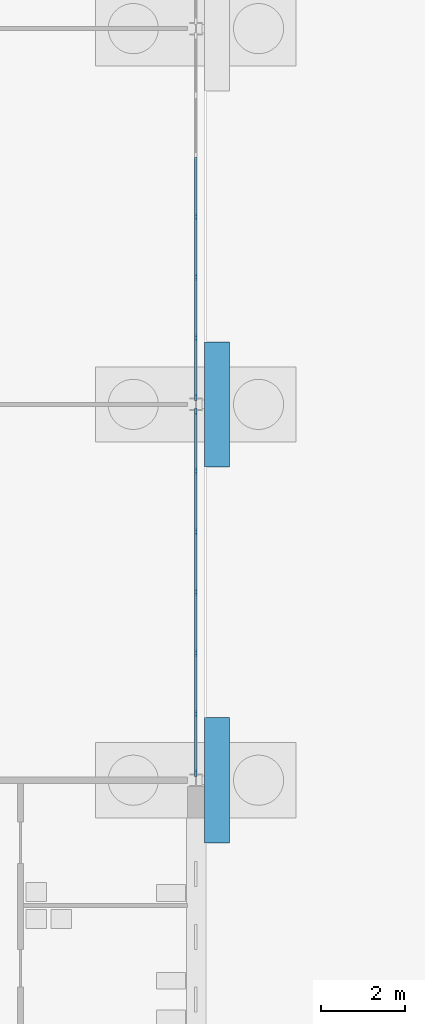
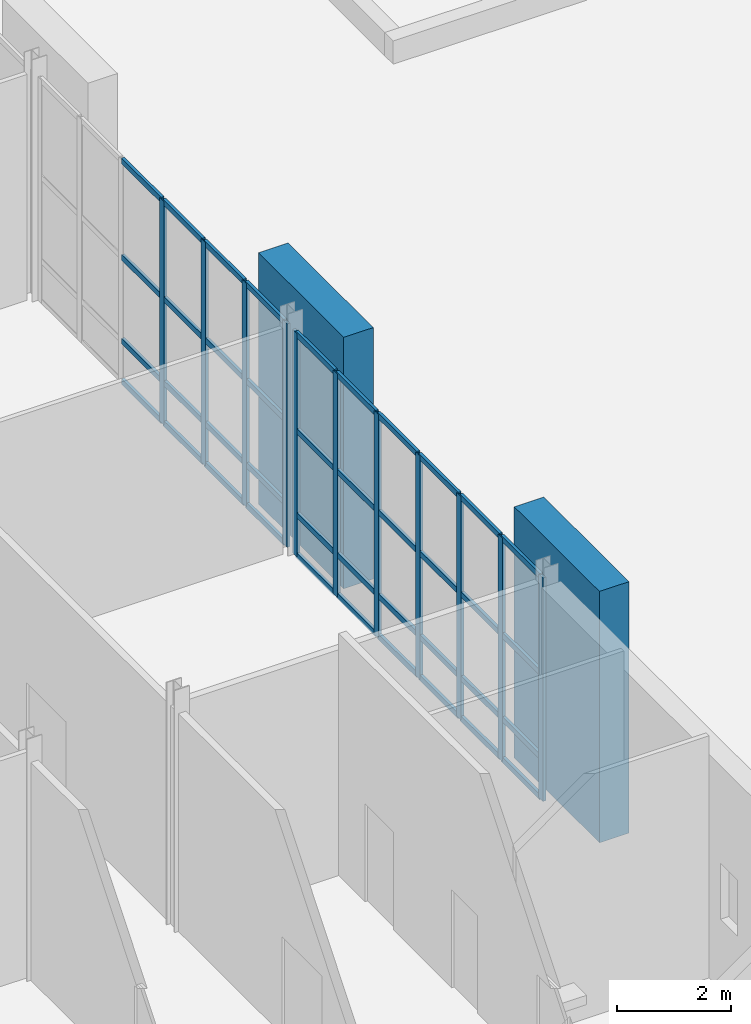
# One storey, part 50 of 168: 53 members, 2 elements without a shape of their own.
"""IFC4 building model written with IfcOpenShell, lengths in metres."""

from ifc_helpers import new_model, si_unit, direction, frame, origin, origin_2d, place, context, subcontext, project, spatial, rectangle, extrude, material, layer, layer_set, material_profile, profile_set, type_object, element, aggregate, save


model = new_model("IFC4")

# Units and contexts
model_context = context("Model", 3, precision=1e-05, world=origin(), true_north=direction((0.0, 1.0)))
body_context = subcontext(model_context, "Body", "Model", "MODEL_VIEW")
ifc_project = project(units=[si_unit("LENGTHUNIT", "METRE"), si_unit("AREAUNIT", "SQUARE_METRE"), si_unit("VOLUMEUNIT", "CUBIC_METRE"), si_unit("PLANEANGLEUNIT", "RADIAN"), si_unit("MASSUNIT", "GRAM", prefix="KILO")], contexts=[model_context])

# Site, building, storey
site_placement = place(None, origin())
site = spatial("IfcSite", under=ifc_project, at=site_placement, CompositionType="ELEMENT")
building_placement = place(site_placement, origin())
building = spatial("IfcBuilding", under=site, at=building_placement, Name="Golden Quay Civic Hall", CompositionType="ELEMENT")
storey_placement = place(building_placement, origin())
storey = spatial("IfcBuildingStorey", under=building, at=storey_placement, Name="L00", CompositionType="ELEMENT", Elevation=0.0)

# Curtain wall, members
ifc_material_1 = material(Name="Glass, laminated double glazed", Category="glass")
ifc_layer = layer(ifc_material_1, 0.199951171875)
ifc_layer_set = layer_set([ifc_layer], Name="Glazed core strip curtain wall")
curtain_wall_type = type_object("IfcCurtainWallType", Name="Glazed core strip curtain wall", PredefinedType="NOTDEFINED", material=ifc_layer_set)
curtain_wall_1_placement = place(storey_placement, origin())
curtain_wall_1 = element("IfcCurtainWall", 1, at=curtain_wall_1_placement, inside=storey, type_object=curtain_wall_type, Name="Glazed core strip curtain wall L00 9", PredefinedType="NOTDEFINED")
ifc_material_2 = material(Name="Aluminium, anodised", Category="aluminium")
ifc_material_profile_1 = material_profile(ifc_material_2, rectangle(XDim=0.06005859375, YDim=0.159912109375, at=origin_2d()), Name="Aluminium 60 x 160")
ifc_profile_set_1 = profile_set([ifc_material_profile_1], Name="Aluminium, anodised")
member_type_1 = type_object("IfcMemberType", Name="Aluminium mullion 60 x 160", PredefinedType="MULLION", material=ifc_profile_set_1)
member_1_placement = place(storey_placement, frame((117.0, 26.824951171875, 0.0), z_axis=(0.0, 0.0, 1.0), x_axis=(1.0, 0.0, 0.0)))
member_1 = element("IfcMember", 2, at=member_1_placement, type_object=member_type_1, Name="CW2 mullion 1", PredefinedType="MULLION", context=body_context, shape_type="SweptSolid", body=[
    extrude(rectangle(XDim=0.06005859375, YDim=0.159912109375, at=origin_2d()), origin(), (0.0, 0.0, 1.0), 4.800048828125),
])
member_2_placement = place(storey_placement, frame((117.0, 25.4033203125, 0.0), z_axis=(0.0, 0.0, 1.0), x_axis=(1.0, 0.0, 0.0)))
member_2 = element("IfcMember", 3, at=member_2_placement, type_object=member_type_1, Name="CW2 mullion 2", PredefinedType="MULLION", context=body_context, shape_type="SweptSolid", body=[
    extrude(rectangle(XDim=0.06005859375, YDim=0.159912109375, at=origin_2d()), origin(), (0.0, 0.0, 1.0), 4.800048828125),
])
member_3_placement = place(storey_placement, frame((117.0, 23.95166015625, 0.0), z_axis=(0.0, 0.0, 1.0), x_axis=(1.0, 0.0, 0.0)))
member_3 = element("IfcMember", 4, at=member_3_placement, type_object=member_type_1, Name="CW2 mullion 3", PredefinedType="MULLION", context=body_context, shape_type="SweptSolid", body=[
    extrude(rectangle(XDim=0.06005859375, YDim=0.159912109375, at=origin_2d()), origin(), (0.0, 0.0, 1.0), 4.800048828125),
])
member_4_placement = place(storey_placement, frame((117.0, 22.5, 0.0), z_axis=(0.0, 0.0, 1.0), x_axis=(1.0, 0.0, 0.0)))
member_4 = element("IfcMember", 5, at=member_4_placement, type_object=member_type_1, Name="CW2 mullion 4", PredefinedType="MULLION", context=body_context, shape_type="SweptSolid", body=[
    extrude(rectangle(XDim=0.06005859375, YDim=0.159912109375, at=origin_2d()), origin(), (0.0, 0.0, 1.0), 4.800048828125),
])
member_5_placement = place(storey_placement, frame((117.0, 21.04833984375, 0.0), z_axis=(0.0, 0.0, 1.0), x_axis=(1.0, 0.0, 0.0)))
member_5 = element("IfcMember", 6, at=member_5_placement, type_object=member_type_1, Name="CW2 mullion 5", PredefinedType="MULLION", context=body_context, shape_type="SweptSolid", body=[
    extrude(rectangle(XDim=0.06005859375, YDim=0.159912109375, at=origin_2d()), origin(), (0.0, 0.0, 1.0), 4.800048828125),
])
member_6_placement = place(storey_placement, frame((117.0, 19.5966796875, 0.0), z_axis=(0.0, 0.0, 1.0), x_axis=(1.0, 0.0, 0.0)))
member_6 = element("IfcMember", 7, at=member_6_placement, type_object=member_type_1, Name="CW2 mullion 6", PredefinedType="MULLION", context=body_context, shape_type="SweptSolid", body=[
    extrude(rectangle(XDim=0.06005859375, YDim=0.159912109375, at=origin_2d()), origin(), (0.0, 0.0, 1.0), 4.800048828125),
])
member_7_placement = place(storey_placement, frame((117.0, 18.175048828125, 0.0), z_axis=(0.0, 0.0, 1.0), x_axis=(1.0, 0.0, 0.0)))
member_7 = element("IfcMember", 8, at=member_7_placement, type_object=member_type_1, Name="CW2 mullion 7", PredefinedType="MULLION", context=body_context, shape_type="SweptSolid", body=[
    extrude(rectangle(XDim=0.06005859375, YDim=0.159912109375, at=origin_2d()), origin(), (0.0, 0.0, 1.0), 4.800048828125),
])

curtain_wall_2_placement = place(storey_placement, origin())
curtain_wall_2 = element("IfcCurtainWall", 9, at=curtain_wall_2_placement, inside=storey, type_object=curtain_wall_type, Name="Glazed core strip curtain wall L00 10", PredefinedType="NOTDEFINED")
member_8_placement = place(storey_placement, frame((117.0, 31.5, 0.0), z_axis=(0.0, 0.0, 1.0), x_axis=(1.0, 0.0, 0.0)))
member_8 = element("IfcMember", 10, at=member_8_placement, type_object=member_type_1, Name="CW2 mullion 4", PredefinedType="MULLION", context=body_context, shape_type="SweptSolid", body=[
    extrude(rectangle(XDim=0.06005859375, YDim=0.159912109375, at=origin_2d()), origin(), (0.0, 0.0, 1.0), 4.800048828125),
])
member_9_placement = place(storey_placement, frame((117.0, 30.04833984375, 0.0), z_axis=(0.0, 0.0, 1.0), x_axis=(1.0, 0.0, 0.0)))
member_9 = element("IfcMember", 11, at=member_9_placement, type_object=member_type_1, Name="CW2 mullion 5", PredefinedType="MULLION", context=body_context, shape_type="SweptSolid", body=[
    extrude(rectangle(XDim=0.06005859375, YDim=0.159912109375, at=origin_2d()), origin(), (0.0, 0.0, 1.0), 4.800048828125),
])
member_10_placement = place(storey_placement, frame((117.0, 28.5966796875, 0.0), z_axis=(0.0, 0.0, 1.0), x_axis=(1.0, 0.0, 0.0)))
member_10 = element("IfcMember", 12, at=member_10_placement, type_object=member_type_1, Name="CW2 mullion 6", PredefinedType="MULLION", context=body_context, shape_type="SweptSolid", body=[
    extrude(rectangle(XDim=0.06005859375, YDim=0.159912109375, at=origin_2d()), origin(), (0.0, 0.0, 1.0), 4.800048828125),
])
member_11_placement = place(storey_placement, frame((117.0, 27.175048828125, 0.0), z_axis=(0.0, 0.0, 1.0), x_axis=(1.0, 0.0, 0.0)))
member_11 = element("IfcMember", 13, at=member_11_placement, type_object=member_type_1, Name="CW2 mullion 7", PredefinedType="MULLION", context=body_context, shape_type="SweptSolid", body=[
    extrude(rectangle(XDim=0.06005859375, YDim=0.159912109375, at=origin_2d()), origin(), (0.0, 0.0, 1.0), 4.800048828125),
])

# Member
ifc_material_3 = material(Name="Aluminium, anodised", Category="aluminium")
ifc_material_profile_2 = material_profile(ifc_material_3, rectangle(XDim=0.06005859375, YDim=0.1201171875, at=origin_2d()), Name="Aluminium 60 x 120")
ifc_profile_set_2 = profile_set([ifc_material_profile_2], Name="Aluminium, anodised")
member_type_2 = type_object("IfcMemberType", Name="Aluminium transom 60 x 120", PredefinedType="USERDEFINED", material=ifc_profile_set_2)
member_12_placement = place(storey_placement, frame((117.0, 26.794921875, 0.030029296875), z_axis=(0.0, -1.0, 0.0), x_axis=(1.0, 0.0, 0.0)))
member_12 = element("IfcMember", 14, at=member_12_placement, type_object=member_type_2, Name="CW2 transom 1.1", ObjectType="TRANSOM", PredefinedType="USERDEFINED", context=body_context, shape_type="SweptSolid", body=[
    extrude(rectangle(XDim=0.06005859375, YDim=0.1201171875, at=origin_2d()), origin(), (0.0, 0.0, 1.0), 1.361572265625),
])

member_13_placement = place(storey_placement, frame((117.0, 26.794921875, 0.89990234375), z_axis=(0.0, -1.0, 0.0), x_axis=(1.0, 0.0, 0.0)))
member_13 = element("IfcMember", 15, at=member_13_placement, type_object=member_type_2, Name="CW2 transom 1.2", ObjectType="TRANSOM", PredefinedType="USERDEFINED", context=body_context, shape_type="SweptSolid", body=[
    extrude(rectangle(XDim=0.06005859375, YDim=0.1201171875, at=origin_2d()), origin(), (0.0, 0.0, 1.0), 1.361572265625),
])

member_14_placement = place(storey_placement, frame((117.0, 26.794921875, 2.699951171875), z_axis=(0.0, -1.0, 0.0), x_axis=(1.0, 0.0, 0.0)))
member_14 = element("IfcMember", 16, at=member_14_placement, type_object=member_type_2, Name="CW2 transom 1.3", ObjectType="TRANSOM", PredefinedType="USERDEFINED", context=body_context, shape_type="SweptSolid", body=[
    extrude(rectangle(XDim=0.06005859375, YDim=0.1201171875, at=origin_2d()), origin(), (0.0, 0.0, 1.0), 1.361572265625),
])

member_15_placement = place(storey_placement, frame((117.0, 26.794921875, 4.77001953125), z_axis=(0.0, -1.0, 0.0), x_axis=(1.0, 0.0, 0.0)))
member_15 = element("IfcMember", 17, at=member_15_placement, type_object=member_type_2, Name="CW2 transom 1.4", ObjectType="TRANSOM", PredefinedType="USERDEFINED", context=body_context, shape_type="SweptSolid", body=[
    extrude(rectangle(XDim=0.06005859375, YDim=0.1201171875, at=origin_2d()), origin(), (0.0, 0.0, 1.0), 1.361572265625),
])

member_16_placement = place(storey_placement, frame((117.0, 25.373291015625, 0.030029296875), z_axis=(0.0, -1.0, 0.0), x_axis=(1.0, 0.0, 0.0)))
member_16 = element("IfcMember", 18, at=member_16_placement, type_object=member_type_2, Name="CW2 transom 2.1", ObjectType="TRANSOM", PredefinedType="USERDEFINED", context=body_context, shape_type="SweptSolid", body=[
    extrude(rectangle(XDim=0.06005859375, YDim=0.1201171875, at=origin_2d()), origin(), (0.0, 0.0, 1.0), 1.3916015625),
])

member_17_placement = place(storey_placement, frame((117.0, 25.373291015625, 0.89990234375), z_axis=(0.0, -1.0, 0.0), x_axis=(1.0, 0.0, 0.0)))
member_17 = element("IfcMember", 19, at=member_17_placement, type_object=member_type_2, Name="CW2 transom 2.2", ObjectType="TRANSOM", PredefinedType="USERDEFINED", context=body_context, shape_type="SweptSolid", body=[
    extrude(rectangle(XDim=0.06005859375, YDim=0.1201171875, at=origin_2d()), origin(), (0.0, 0.0, 1.0), 1.3916015625),
])

member_18_placement = place(storey_placement, frame((117.0, 25.373291015625, 2.699951171875), z_axis=(0.0, -1.0, 0.0), x_axis=(1.0, 0.0, 0.0)))
member_18 = element("IfcMember", 20, at=member_18_placement, type_object=member_type_2, Name="CW2 transom 2.3", ObjectType="TRANSOM", PredefinedType="USERDEFINED", context=body_context, shape_type="SweptSolid", body=[
    extrude(rectangle(XDim=0.06005859375, YDim=0.1201171875, at=origin_2d()), origin(), (0.0, 0.0, 1.0), 1.3916015625),
])

member_19_placement = place(storey_placement, frame((117.0, 25.373291015625, 4.77001953125), z_axis=(0.0, -1.0, 0.0), x_axis=(1.0, 0.0, 0.0)))
member_19 = element("IfcMember", 21, at=member_19_placement, type_object=member_type_2, Name="CW2 transom 2.4", ObjectType="TRANSOM", PredefinedType="USERDEFINED", context=body_context, shape_type="SweptSolid", body=[
    extrude(rectangle(XDim=0.06005859375, YDim=0.1201171875, at=origin_2d()), origin(), (0.0, 0.0, 1.0), 1.3916015625),
])

member_20_placement = place(storey_placement, frame((117.0, 23.921630859375, 0.030029296875), z_axis=(0.0, -1.0, 0.0), x_axis=(1.0, 0.0, 0.0)))
member_20 = element("IfcMember", 22, at=member_20_placement, type_object=member_type_2, Name="CW2 transom 3.1", ObjectType="TRANSOM", PredefinedType="USERDEFINED", context=body_context, shape_type="SweptSolid", body=[
    extrude(rectangle(XDim=0.06005859375, YDim=0.1201171875, at=origin_2d()), origin(), (0.0, 0.0, 1.0), 1.3916015625),
])

member_21_placement = place(storey_placement, frame((117.0, 23.921630859375, 0.89990234375), z_axis=(0.0, -1.0, 0.0), x_axis=(1.0, 0.0, 0.0)))
member_21 = element("IfcMember", 23, at=member_21_placement, type_object=member_type_2, Name="CW2 transom 3.2", ObjectType="TRANSOM", PredefinedType="USERDEFINED", context=body_context, shape_type="SweptSolid", body=[
    extrude(rectangle(XDim=0.06005859375, YDim=0.1201171875, at=origin_2d()), origin(), (0.0, 0.0, 1.0), 1.3916015625),
])

member_22_placement = place(storey_placement, frame((117.0, 23.921630859375, 2.699951171875), z_axis=(0.0, -1.0, 0.0), x_axis=(1.0, 0.0, 0.0)))
member_22 = element("IfcMember", 24, at=member_22_placement, type_object=member_type_2, Name="CW2 transom 3.3", ObjectType="TRANSOM", PredefinedType="USERDEFINED", context=body_context, shape_type="SweptSolid", body=[
    extrude(rectangle(XDim=0.06005859375, YDim=0.1201171875, at=origin_2d()), origin(), (0.0, 0.0, 1.0), 1.3916015625),
])

member_23_placement = place(storey_placement, frame((117.0, 23.921630859375, 4.77001953125), z_axis=(0.0, -1.0, 0.0), x_axis=(1.0, 0.0, 0.0)))
member_23 = element("IfcMember", 25, at=member_23_placement, type_object=member_type_2, Name="CW2 transom 3.4", ObjectType="TRANSOM", PredefinedType="USERDEFINED", context=body_context, shape_type="SweptSolid", body=[
    extrude(rectangle(XDim=0.06005859375, YDim=0.1201171875, at=origin_2d()), origin(), (0.0, 0.0, 1.0), 1.3916015625),
])

member_24_placement = place(storey_placement, frame((117.0, 22.469970703125, 0.030029296875), z_axis=(0.0, -1.0, 0.0), x_axis=(1.0, 0.0, 0.0)))
member_24 = element("IfcMember", 26, at=member_24_placement, type_object=member_type_2, Name="CW2 transom 4.1", ObjectType="TRANSOM", PredefinedType="USERDEFINED", context=body_context, shape_type="SweptSolid", body=[
    extrude(rectangle(XDim=0.06005859375, YDim=0.1201171875, at=origin_2d()), origin(), (0.0, 0.0, 1.0), 1.3916015625),
])

member_25_placement = place(storey_placement, frame((117.0, 22.469970703125, 0.89990234375), z_axis=(0.0, -1.0, 0.0), x_axis=(1.0, 0.0, 0.0)))
member_25 = element("IfcMember", 27, at=member_25_placement, type_object=member_type_2, Name="CW2 transom 4.2", ObjectType="TRANSOM", PredefinedType="USERDEFINED", context=body_context, shape_type="SweptSolid", body=[
    extrude(rectangle(XDim=0.06005859375, YDim=0.1201171875, at=origin_2d()), origin(), (0.0, 0.0, 1.0), 1.3916015625),
])

member_26_placement = place(storey_placement, frame((117.0, 22.469970703125, 2.699951171875), z_axis=(0.0, -1.0, 0.0), x_axis=(1.0, 0.0, 0.0)))
member_26 = element("IfcMember", 28, at=member_26_placement, type_object=member_type_2, Name="CW2 transom 4.3", ObjectType="TRANSOM", PredefinedType="USERDEFINED", context=body_context, shape_type="SweptSolid", body=[
    extrude(rectangle(XDim=0.06005859375, YDim=0.1201171875, at=origin_2d()), origin(), (0.0, 0.0, 1.0), 1.3916015625),
])

member_27_placement = place(storey_placement, frame((117.0, 22.469970703125, 4.77001953125), z_axis=(0.0, -1.0, 0.0), x_axis=(1.0, 0.0, 0.0)))
member_27 = element("IfcMember", 29, at=member_27_placement, type_object=member_type_2, Name="CW2 transom 4.4", ObjectType="TRANSOM", PredefinedType="USERDEFINED", context=body_context, shape_type="SweptSolid", body=[
    extrude(rectangle(XDim=0.06005859375, YDim=0.1201171875, at=origin_2d()), origin(), (0.0, 0.0, 1.0), 1.3916015625),
])

member_28_placement = place(storey_placement, frame((117.0, 21.018310546875, 0.030029296875), z_axis=(0.0, -1.0, 0.0), x_axis=(1.0, 0.0, 0.0)))
member_28 = element("IfcMember", 30, at=member_28_placement, type_object=member_type_2, Name="CW2 transom 5.1", ObjectType="TRANSOM", PredefinedType="USERDEFINED", context=body_context, shape_type="SweptSolid", body=[
    extrude(rectangle(XDim=0.06005859375, YDim=0.1201171875, at=origin_2d()), origin(), (0.0, 0.0, 1.0), 1.3916015625),
])

member_29_placement = place(storey_placement, frame((117.0, 21.018310546875, 0.89990234375), z_axis=(0.0, -1.0, 0.0), x_axis=(1.0, 0.0, 0.0)))
member_29 = element("IfcMember", 31, at=member_29_placement, type_object=member_type_2, Name="CW2 transom 5.2", ObjectType="TRANSOM", PredefinedType="USERDEFINED", context=body_context, shape_type="SweptSolid", body=[
    extrude(rectangle(XDim=0.06005859375, YDim=0.1201171875, at=origin_2d()), origin(), (0.0, 0.0, 1.0), 1.3916015625),
])

member_30_placement = place(storey_placement, frame((117.0, 21.018310546875, 2.699951171875), z_axis=(0.0, -1.0, 0.0), x_axis=(1.0, 0.0, 0.0)))
member_30 = element("IfcMember", 32, at=member_30_placement, type_object=member_type_2, Name="CW2 transom 5.3", ObjectType="TRANSOM", PredefinedType="USERDEFINED", context=body_context, shape_type="SweptSolid", body=[
    extrude(rectangle(XDim=0.06005859375, YDim=0.1201171875, at=origin_2d()), origin(), (0.0, 0.0, 1.0), 1.3916015625),
])

member_31_placement = place(storey_placement, frame((117.0, 21.018310546875, 4.77001953125), z_axis=(0.0, -1.0, 0.0), x_axis=(1.0, 0.0, 0.0)))
member_31 = element("IfcMember", 33, at=member_31_placement, type_object=member_type_2, Name="CW2 transom 5.4", ObjectType="TRANSOM", PredefinedType="USERDEFINED", context=body_context, shape_type="SweptSolid", body=[
    extrude(rectangle(XDim=0.06005859375, YDim=0.1201171875, at=origin_2d()), origin(), (0.0, 0.0, 1.0), 1.3916015625),
])

member_32_placement = place(storey_placement, frame((117.0, 19.566650390625, 0.030029296875), z_axis=(0.0, -1.0, 0.0), x_axis=(1.0, 0.0, 0.0)))
member_32 = element("IfcMember", 34, at=member_32_placement, type_object=member_type_2, Name="CW2 transom 6.1", ObjectType="TRANSOM", PredefinedType="USERDEFINED", context=body_context, shape_type="SweptSolid", body=[
    extrude(rectangle(XDim=0.06005859375, YDim=0.1201171875, at=origin_2d()), origin(), (0.0, 0.0, 1.0), 1.361572265625),
])

member_33_placement = place(storey_placement, frame((117.0, 19.566650390625, 0.89990234375), z_axis=(0.0, -1.0, 0.0), x_axis=(1.0, 0.0, 0.0)))
member_33 = element("IfcMember", 35, at=member_33_placement, type_object=member_type_2, Name="CW2 transom 6.2", ObjectType="TRANSOM", PredefinedType="USERDEFINED", context=body_context, shape_type="SweptSolid", body=[
    extrude(rectangle(XDim=0.06005859375, YDim=0.1201171875, at=origin_2d()), origin(), (0.0, 0.0, 1.0), 1.361572265625),
])

member_34_placement = place(storey_placement, frame((117.0, 19.566650390625, 2.699951171875), z_axis=(0.0, -1.0, 0.0), x_axis=(1.0, 0.0, 0.0)))
member_34 = element("IfcMember", 36, at=member_34_placement, type_object=member_type_2, Name="CW2 transom 6.3", ObjectType="TRANSOM", PredefinedType="USERDEFINED", context=body_context, shape_type="SweptSolid", body=[
    extrude(rectangle(XDim=0.06005859375, YDim=0.1201171875, at=origin_2d()), origin(), (0.0, 0.0, 1.0), 1.361572265625),
])

member_35_placement = place(storey_placement, frame((117.0, 19.566650390625, 4.77001953125), z_axis=(0.0, -1.0, 0.0), x_axis=(1.0, 0.0, 0.0)))
member_35 = element("IfcMember", 37, at=member_35_placement, type_object=member_type_2, Name="CW2 transom 6.4", ObjectType="TRANSOM", PredefinedType="USERDEFINED", context=body_context, shape_type="SweptSolid", body=[
    extrude(rectangle(XDim=0.06005859375, YDim=0.1201171875, at=origin_2d()), origin(), (0.0, 0.0, 1.0), 1.361572265625),
])

aggregate(curtain_wall_1, [member_1, member_2, member_3, member_4, member_5, member_6, member_7, member_12, member_13, member_14, member_15, member_16, member_17, member_18, member_19, member_20, member_21, member_22, member_23, member_24, member_25, member_26, member_27, member_28, member_29, member_30, member_31, member_32, member_33, member_34, member_35])

member_36_placement = place(storey_placement, frame((117.0, 32.921630859375, 0.030029296875), z_axis=(0.0, -1.0, 0.0), x_axis=(1.0, 0.0, 0.0)))
member_36 = element("IfcMember", 38, at=member_36_placement, type_object=member_type_2, Name="CW2 transom 3.1", ObjectType="TRANSOM", PredefinedType="USERDEFINED", context=body_context, shape_type="SweptSolid", body=[
    extrude(rectangle(XDim=0.06005859375, YDim=0.1201171875, at=origin_2d()), origin(), (0.0, 0.0, 1.0), 1.3916015625),
])

member_37_placement = place(storey_placement, frame((117.0, 32.921630859375, 0.89990234375), z_axis=(0.0, -1.0, 0.0), x_axis=(1.0, 0.0, 0.0)))
member_37 = element("IfcMember", 39, at=member_37_placement, type_object=member_type_2, Name="CW2 transom 3.2", ObjectType="TRANSOM", PredefinedType="USERDEFINED", context=body_context, shape_type="SweptSolid", body=[
    extrude(rectangle(XDim=0.06005859375, YDim=0.1201171875, at=origin_2d()), origin(), (0.0, 0.0, 1.0), 1.3916015625),
])

member_38_placement = place(storey_placement, frame((117.0, 32.921630859375, 2.699951171875), z_axis=(0.0, -1.0, 0.0), x_axis=(1.0, 0.0, 0.0)))
member_38 = element("IfcMember", 40, at=member_38_placement, type_object=member_type_2, Name="CW2 transom 3.3", ObjectType="TRANSOM", PredefinedType="USERDEFINED", context=body_context, shape_type="SweptSolid", body=[
    extrude(rectangle(XDim=0.06005859375, YDim=0.1201171875, at=origin_2d()), origin(), (0.0, 0.0, 1.0), 1.3916015625),
])

member_39_placement = place(storey_placement, frame((117.0, 32.921630859375, 4.77001953125), z_axis=(0.0, -1.0, 0.0), x_axis=(1.0, 0.0, 0.0)))
member_39 = element("IfcMember", 41, at=member_39_placement, type_object=member_type_2, Name="CW2 transom 3.4", ObjectType="TRANSOM", PredefinedType="USERDEFINED", context=body_context, shape_type="SweptSolid", body=[
    extrude(rectangle(XDim=0.06005859375, YDim=0.1201171875, at=origin_2d()), origin(), (0.0, 0.0, 1.0), 1.3916015625),
])

member_40_placement = place(storey_placement, frame((117.0, 31.469970703125, 0.030029296875), z_axis=(0.0, -1.0, 0.0), x_axis=(1.0, 0.0, 0.0)))
member_40 = element("IfcMember", 42, at=member_40_placement, type_object=member_type_2, Name="CW2 transom 4.1", ObjectType="TRANSOM", PredefinedType="USERDEFINED", context=body_context, shape_type="SweptSolid", body=[
    extrude(rectangle(XDim=0.06005859375, YDim=0.1201171875, at=origin_2d()), origin(), (0.0, 0.0, 1.0), 1.3916015625),
])

member_41_placement = place(storey_placement, frame((117.0, 31.469970703125, 0.89990234375), z_axis=(0.0, -1.0, 0.0), x_axis=(1.0, 0.0, 0.0)))
member_41 = element("IfcMember", 43, at=member_41_placement, type_object=member_type_2, Name="CW2 transom 4.2", ObjectType="TRANSOM", PredefinedType="USERDEFINED", context=body_context, shape_type="SweptSolid", body=[
    extrude(rectangle(XDim=0.06005859375, YDim=0.1201171875, at=origin_2d()), origin(), (0.0, 0.0, 1.0), 1.3916015625),
])

member_42_placement = place(storey_placement, frame((117.0, 31.469970703125, 2.699951171875), z_axis=(0.0, -1.0, 0.0), x_axis=(1.0, 0.0, 0.0)))
member_42 = element("IfcMember", 44, at=member_42_placement, type_object=member_type_2, Name="CW2 transom 4.3", ObjectType="TRANSOM", PredefinedType="USERDEFINED", context=body_context, shape_type="SweptSolid", body=[
    extrude(rectangle(XDim=0.06005859375, YDim=0.1201171875, at=origin_2d()), origin(), (0.0, 0.0, 1.0), 1.3916015625),
])

member_43_placement = place(storey_placement, frame((117.0, 31.469970703125, 4.77001953125), z_axis=(0.0, -1.0, 0.0), x_axis=(1.0, 0.0, 0.0)))
member_43 = element("IfcMember", 45, at=member_43_placement, type_object=member_type_2, Name="CW2 transom 4.4", ObjectType="TRANSOM", PredefinedType="USERDEFINED", context=body_context, shape_type="SweptSolid", body=[
    extrude(rectangle(XDim=0.06005859375, YDim=0.1201171875, at=origin_2d()), origin(), (0.0, 0.0, 1.0), 1.3916015625),
])

member_44_placement = place(storey_placement, frame((117.0, 30.018310546875, 0.030029296875), z_axis=(0.0, -1.0, 0.0), x_axis=(1.0, 0.0, 0.0)))
member_44 = element("IfcMember", 46, at=member_44_placement, type_object=member_type_2, Name="CW2 transom 5.1", ObjectType="TRANSOM", PredefinedType="USERDEFINED", context=body_context, shape_type="SweptSolid", body=[
    extrude(rectangle(XDim=0.06005859375, YDim=0.1201171875, at=origin_2d()), origin(), (0.0, 0.0, 1.0), 1.3916015625),
])

member_45_placement = place(storey_placement, frame((117.0, 30.018310546875, 0.89990234375), z_axis=(0.0, -1.0, 0.0), x_axis=(1.0, 0.0, 0.0)))
member_45 = element("IfcMember", 47, at=member_45_placement, type_object=member_type_2, Name="CW2 transom 5.2", ObjectType="TRANSOM", PredefinedType="USERDEFINED", context=body_context, shape_type="SweptSolid", body=[
    extrude(rectangle(XDim=0.06005859375, YDim=0.1201171875, at=origin_2d()), origin(), (0.0, 0.0, 1.0), 1.3916015625),
])

member_46_placement = place(storey_placement, frame((117.0, 30.018310546875, 2.699951171875), z_axis=(0.0, -1.0, 0.0), x_axis=(1.0, 0.0, 0.0)))
member_46 = element("IfcMember", 48, at=member_46_placement, type_object=member_type_2, Name="CW2 transom 5.3", ObjectType="TRANSOM", PredefinedType="USERDEFINED", context=body_context, shape_type="SweptSolid", body=[
    extrude(rectangle(XDim=0.06005859375, YDim=0.1201171875, at=origin_2d()), origin(), (0.0, 0.0, 1.0), 1.3916015625),
])

member_47_placement = place(storey_placement, frame((117.0, 30.018310546875, 4.77001953125), z_axis=(0.0, -1.0, 0.0), x_axis=(1.0, 0.0, 0.0)))
member_47 = element("IfcMember", 49, at=member_47_placement, type_object=member_type_2, Name="CW2 transom 5.4", ObjectType="TRANSOM", PredefinedType="USERDEFINED", context=body_context, shape_type="SweptSolid", body=[
    extrude(rectangle(XDim=0.06005859375, YDim=0.1201171875, at=origin_2d()), origin(), (0.0, 0.0, 1.0), 1.3916015625),
])

member_48_placement = place(storey_placement, frame((117.0, 28.566650390625, 0.030029296875), z_axis=(0.0, -1.0, 0.0), x_axis=(1.0, 0.0, 0.0)))
member_48 = element("IfcMember", 50, at=member_48_placement, type_object=member_type_2, Name="CW2 transom 6.1", ObjectType="TRANSOM", PredefinedType="USERDEFINED", context=body_context, shape_type="SweptSolid", body=[
    extrude(rectangle(XDim=0.06005859375, YDim=0.1201171875, at=origin_2d()), origin(), (0.0, 0.0, 1.0), 1.361572265625),
])

member_49_placement = place(storey_placement, frame((117.0, 28.566650390625, 0.89990234375), z_axis=(0.0, -1.0, 0.0), x_axis=(1.0, 0.0, 0.0)))
member_49 = element("IfcMember", 51, at=member_49_placement, type_object=member_type_2, Name="CW2 transom 6.2", ObjectType="TRANSOM", PredefinedType="USERDEFINED", context=body_context, shape_type="SweptSolid", body=[
    extrude(rectangle(XDim=0.06005859375, YDim=0.1201171875, at=origin_2d()), origin(), (0.0, 0.0, 1.0), 1.361572265625),
])

member_50_placement = place(storey_placement, frame((117.0, 28.566650390625, 2.699951171875), z_axis=(0.0, -1.0, 0.0), x_axis=(1.0, 0.0, 0.0)))
member_50 = element("IfcMember", 52, at=member_50_placement, type_object=member_type_2, Name="CW2 transom 6.3", ObjectType="TRANSOM", PredefinedType="USERDEFINED", context=body_context, shape_type="SweptSolid", body=[
    extrude(rectangle(XDim=0.06005859375, YDim=0.1201171875, at=origin_2d()), origin(), (0.0, 0.0, 1.0), 1.361572265625),
])

member_51_placement = place(storey_placement, frame((117.0, 28.566650390625, 4.77001953125), z_axis=(0.0, -1.0, 0.0), x_axis=(1.0, 0.0, 0.0)))
member_51 = element("IfcMember", 53, at=member_51_placement, type_object=member_type_2, Name="CW2 transom 6.4", ObjectType="TRANSOM", PredefinedType="USERDEFINED", context=body_context, shape_type="SweptSolid", body=[
    extrude(rectangle(XDim=0.06005859375, YDim=0.1201171875, at=origin_2d()), origin(), (0.0, 0.0, 1.0), 1.361572265625),
])

aggregate(curtain_wall_2, [member_8, member_9, member_10, member_11, member_36, member_37, member_38, member_39, member_40, member_41, member_42, member_43, member_44, member_45, member_46, member_47, member_48, member_49, member_50, member_51])

# Members
ifc_material_4 = material(Name="Concrete C40/50", Category="concrete")
ifc_material_profile_3 = material_profile(ifc_material_4, rectangle(XDim=3.0, YDim=0.60009765625, at=origin_2d()), Name="RC 3000x600")
ifc_profile_set_3 = profile_set([ifc_material_profile_3], Name="Concrete C40/50")
member_type_3 = type_object("IfcMemberType", Name="Precast concrete facade pier 3000 x 600", PredefinedType="POST", material=ifc_profile_set_3)
for number, where, z_axis, x_axis, name in (
    (54, (117.5, 18.0, 0.0), (0.0, 0.0, 1.0), (0.0, 1.0, 0.0), "Precast concrete facade pier 3000 x 600 L00 23"),
    (55, (117.5, 27.0, 0.0), (0.0, 0.0, 1.0), (0.0, 1.0, 0.0), "Precast concrete facade pier 3000 x 600 L00 24"),
):
    element("IfcMember", number, at=place(storey_placement, frame(where, z_axis=z_axis, x_axis=x_axis)), inside=storey, type_object=member_type_3, Name=name, PredefinedType="POST", context=body_context, shape_type="SweptSolid", body=[
        extrude(rectangle(XDim=3.0, YDim=0.60009765625, at=origin_2d()), origin(), (0.0, 0.0, 1.0), 5.39990234375),
    ])

save(model, "model.ifc")
